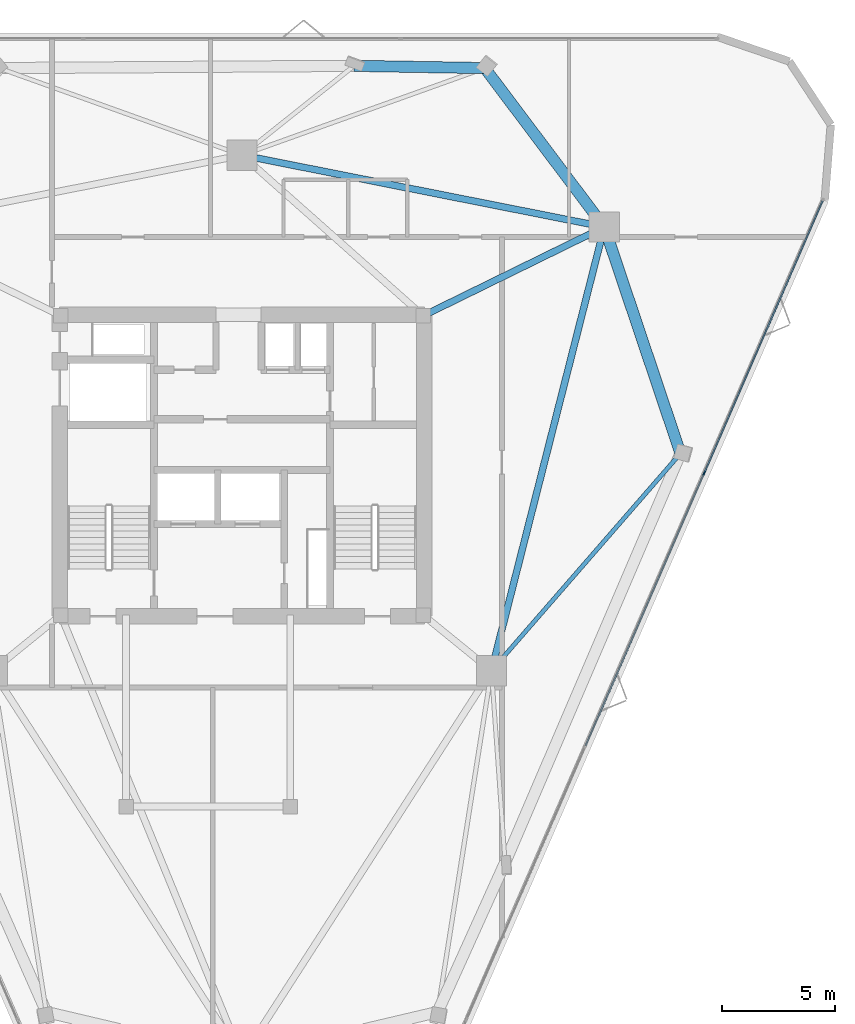
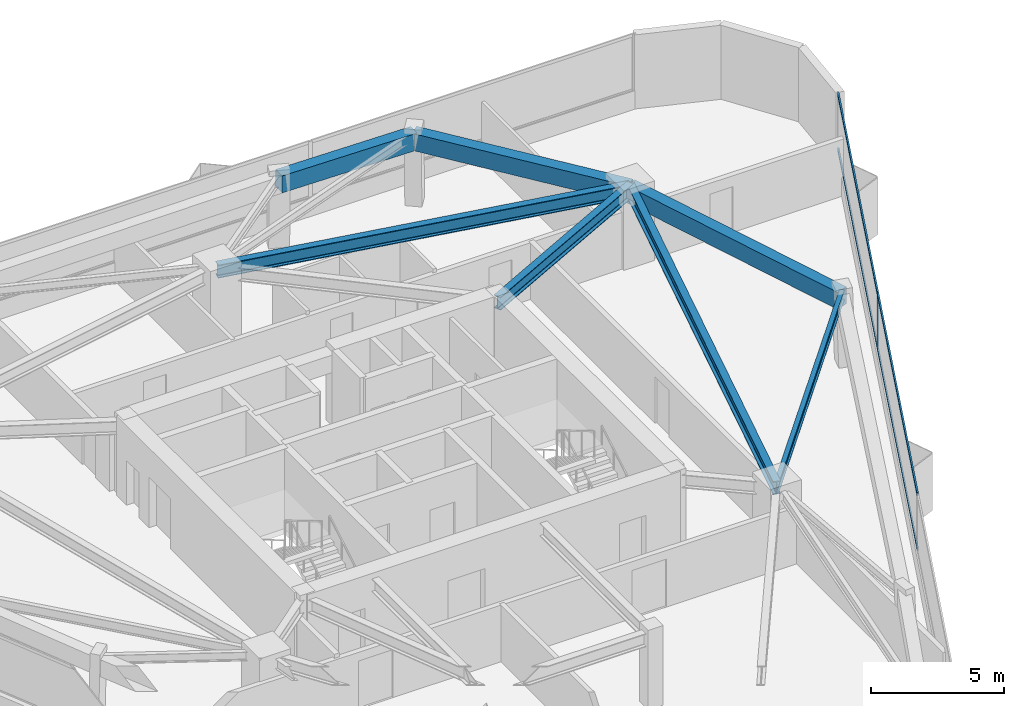
# One storey, part 7 of 12: 7 beams, 5 members, 1 element without a shape of its own.
"""IFC4 building model written with IfcOpenShell, lengths in metres."""

from ifc_helpers import new_model, si_unit, direction, frame, origin, origin_2d, place, context, subcontext, project, spatial, rectangle, i_section, extrude, material, layer, layer_set, material_profile, profile_set, type_object, element, aggregate, save


model = new_model("IFC4")

# Units and contexts
model_context = context("Model", 3, precision=1e-05, world=origin(), true_north=direction((0.0, 1.0)))
body_context = subcontext(model_context, "Body", "Model", "MODEL_VIEW")
ifc_project = project(units=[si_unit("LENGTHUNIT", "METRE"), si_unit("AREAUNIT", "SQUARE_METRE"), si_unit("VOLUMEUNIT", "CUBIC_METRE"), si_unit("PLANEANGLEUNIT", "RADIAN"), si_unit("MASSUNIT", "GRAM", prefix="KILO")], contexts=[model_context])

# Site, building, storey
site_placement = place(None, origin())
site = spatial("IfcSite", under=ifc_project, at=site_placement, CompositionType="ELEMENT")
building_placement = place(site_placement, origin())
building = spatial("IfcBuilding", under=site, at=building_placement, Name="Talyreon Biosciences Tower", CompositionType="ELEMENT")
storey_placement = place(building_placement, frame((0.0, 0.0, 197.64990234375)))
storey = spatial("IfcBuildingStorey", under=building, at=storey_placement, Name="L52", CompositionType="ELEMENT", Elevation=197.64990234375)

# Curtain wall, members
ifc_material_1 = material(Name="Thermally broken aluminium and low-E glazing", Category="aluminium")
ifc_layer = layer(ifc_material_1, 0.179931640625)
ifc_layer_set = layer_set([ifc_layer], Name="Thermally broken aluminium and low-E glazing")
curtain_wall_type = type_object("IfcCurtainWallType", Name="CurtainWall_Zone4Optical", PredefinedType="NOTDEFINED", material=ifc_layer_set)
curtain_wall_placement = place(storey_placement, origin())
curtain_wall = element("IfcCurtainWall", 1, at=curtain_wall_placement, inside=storey, type_object=curtain_wall_type, Name="L52 Unitised Curtain Wall FCW-L52-08", PredefinedType="NOTDEFINED")
ifc_material_2 = material(Name="Anodised thermally broken aluminium", Category="aluminium")
ifc_material_profile_1 = material_profile(ifc_material_2, rectangle(XDim=0.06494140625, YDim=0.179931640625, at=origin_2d()), Name="ALUM MULLION 65x180")
ifc_profile_set_1 = profile_set([ifc_material_profile_1], Name="Anodised thermally broken aluminium")
member_type_1 = type_object("IfcMemberType", Name="CWMullion_65x180", PredefinedType="MULLION", material=ifc_profile_set_1)
member_1_placement = place(storey_placement, frame((86.543212890625, 67.664794921875, 0.81005859375), z_axis=(0.0, 0.0, 1.0), x_axis=(0.917010897502, -0.398862148946, 0.0)))
member_1 = element("IfcMember", 2, at=member_1_placement, type_object=member_type_1, Name="CW5 mullion 2", PredefinedType="MULLION", context=body_context, shape_type="SweptSolid", body=[
    extrude(rectangle(XDim=0.06494140625, YDim=0.179931640625, at=origin_2d()), origin(), (0.0, 0.0, 1.0), 2.590087890625),
])
ifc_material_profile_2 = material_profile(ifc_material_2, rectangle(XDim=0.06494140625, YDim=0.139892578125, at=origin_2d()), Name="ALUM TRANSOM 65x140")
ifc_profile_set_2 = profile_set([ifc_material_profile_2], Name="Anodised thermally broken aluminium")
member_type_2 = type_object("IfcMemberType", Name="CWTransom_65x140", PredefinedType="USERDEFINED", material=ifc_profile_set_2)
member_2_placement = place(storey_placement, frame((91.7998046875, 79.750244140625, 0.842529296875), z_axis=(-0.39885784292, -0.917012770435, 0.0), x_axis=(0.917012770435, -0.39885784292, 0.0)))
member_2 = element("IfcMember", 3, at=member_2_placement, type_object=member_type_2, Name="CW5 transom 1.1", ObjectType="TRANSOM", PredefinedType="USERDEFINED", context=body_context, shape_type="SweptSolid", body=[
    extrude(rectangle(XDim=0.06494140625, YDim=0.139892578125, at=origin_2d()), origin(), (0.0, 0.0, 1.0), 13.146728515625),
])
member_3_placement = place(storey_placement, frame((91.7998046875, 79.750244140625, 3.36767578125), z_axis=(-0.39885784292, -0.917012770435, 0.0), x_axis=(0.917012770435, -0.39885784292, 0.0)))
member_3 = element("IfcMember", 4, at=member_3_placement, type_object=member_type_2, Name="CW5 transom 1.2", ObjectType="TRANSOM", PredefinedType="USERDEFINED", context=body_context, shape_type="SweptSolid", body=[
    extrude(rectangle(XDim=0.06494140625, YDim=0.139892578125, at=origin_2d()), origin(), (0.0, 0.0, 1.0), 13.146728515625),
])
member_4_placement = place(storey_placement, frame((86.5302734375, 67.634765625, 0.842529296875), z_axis=(-0.398872418552, -0.917006430576, 0.0), x_axis=(0.917006430576, -0.398872418552, 0.0)))
member_4 = element("IfcMember", 5, at=member_4_placement, type_object=member_type_2, Name="CW5 transom 2.1", ObjectType="TRANSOM", PredefinedType="USERDEFINED", context=body_context, shape_type="SweptSolid", body=[
    extrude(rectangle(XDim=0.06494140625, YDim=0.139892578125, at=origin_2d()), origin(), (0.0, 0.0, 1.0), 13.17919921875),
])
member_5_placement = place(storey_placement, frame((86.5302734375, 67.634765625, 3.36767578125), z_axis=(-0.398872418552, -0.917006430576, 0.0), x_axis=(0.917006430576, -0.398872418552, 0.0)))
member_5 = element("IfcMember", 6, at=member_5_placement, type_object=member_type_2, Name="CW5 transom 2.2", ObjectType="TRANSOM", PredefinedType="USERDEFINED", context=body_context, shape_type="SweptSolid", body=[
    extrude(rectangle(XDim=0.06494140625, YDim=0.139892578125, at=origin_2d()), origin(), (0.0, 0.0, 1.0), 13.17919921875),
])
aggregate(curtain_wall, [member_1, member_2, member_3, member_4, member_5])

# Beams
ifc_material_3 = material(Name="Precast concrete C45/55", Category="concrete")
ifc_material_profile_3 = material_profile(ifc_material_3, rectangle(XDim=0.5, YDim=0.780029296875, at=origin_2d()), Name="RCB 500x780")
ifc_profile_set_3 = profile_set([ifc_material_profile_3], Name="Precast concrete C45/55")
beam_type_1 = type_object("IfcBeamType", Name="ExpressedSpandrel_500x780", PredefinedType="SPANDREL", material=ifc_profile_set_3)
beam_1_placement = place(storey_placement, frame((85.487060546875, 68.535888671875, 3.010009765625), z_axis=(-0.318813616471, 0.947817428597, 0.0), x_axis=(-0.947817428597, -0.318813616471, 0.0)))
element("IfcBeam", 7, at=beam_1_placement, inside=storey, type_object=beam_type_1, Name="L52 Expressed Horizontal Concrete Spandrel 04", PredefinedType="SPANDREL", context=body_context, shape_type="SweptSolid", body=[
    extrude(rectangle(XDim=0.5, YDim=0.780029296875, at=origin_2d()), origin(), (0.0, 0.0, 1.0), 10.61669921875),
])
beam_2_placement = place(storey_placement, frame((82.102294921875, 78.5986328125, 3.010009765625), z_axis=(-0.601171240798, 0.799120228274, 0.0), x_axis=(-0.799120228274, -0.601171240798, 0.0)))
element("IfcBeam", 8, at=beam_2_placement, inside=storey, type_object=beam_type_1, Name="L52 Expressed Horizontal Concrete Spandrel 05", PredefinedType="SPANDREL", context=body_context, shape_type="SweptSolid", body=[
    extrude(rectangle(XDim=0.5, YDim=0.780029296875, at=origin_2d()), origin(), (0.0, 0.0, 1.0), 8.833251953125),
])
beam_3_placement = place(storey_placement, frame((76.7919921875, 85.657470703125, 3.010009765625), z_axis=(-0.99985167506, 0.017222888277, 0.0), x_axis=(-0.017222888277, -0.99985167506, 0.0)))
element("IfcBeam", 9, at=beam_3_placement, inside=storey, type_object=beam_type_1, Name="L52 Expressed Horizontal Concrete Spandrel 06", PredefinedType="SPANDREL", context=body_context, shape_type="SweptSolid", body=[
    extrude(rectangle(XDim=0.5, YDim=0.780029296875, at=origin_2d()), origin(), (0.0, 0.0, 1.0), 5.81201171875),
])
ifc_material_4 = material(Name="Steel SM355", Category="steel")
ifc_material_profile_4 = material_profile(ifc_material_4, i_section(OverallWidth=0.300048828125, OverallDepth=0.60009765625, WebThickness=0.015380859375, FlangeThickness=0.030029296875, FilletRadius=0.027099609375, at=origin_2d()), Name="HE600B")
ifc_profile_set_4 = profile_set([ifc_material_profile_4], Name="Steel SM355")
beam_type_2 = type_object("IfcBeamType", Name="SteelBeam_HE600B", PredefinedType="BEAM", material=ifc_profile_set_4)
beam_4_placement = place(storey_placement, frame((77.086181640625, 58.88037109375, 3.10009765625), z_axis=(0.246537082299, 0.969133358755, 0.0), x_axis=(-0.969133358755, 0.246537082299, 0.0)))
element("IfcBeam", 10, at=beam_4_placement, inside=storey, type_object=beam_type_2, Name="L52 Mega-Ring Girder 2", PredefinedType="BEAM", context=body_context, shape_type="SweptSolid", body=[
    extrude(i_section(OverallWidth=0.300048828125, OverallDepth=0.60009765625, WebThickness=0.015380859375, FlangeThickness=0.030029296875, FilletRadius=0.027099609375, at=origin_2d()), origin(), (0.0, 0.0, 1.0), 20.34619140625),
])
beam_5_placement = place(storey_placement, frame((82.102294921875, 78.5986328125, 3.10009765625), z_axis=(-0.980933730698, 0.194342522311, 0.0), x_axis=(-0.194342522311, -0.980933730698, 0.0)))
element("IfcBeam", 11, at=beam_5_placement, inside=storey, type_object=beam_type_2, Name="L52 Mega-Ring Girder 3", PredefinedType="BEAM", context=body_context, shape_type="SweptSolid", body=[
    extrude(i_section(OverallWidth=0.300048828125, OverallDepth=0.60009765625, WebThickness=0.015380859375, FlangeThickness=0.030029296875, FilletRadius=0.027099609375, at=origin_2d()), origin(), (0.0, 0.0, 1.0), 16.415283203125),
])
beam_6_placement = place(storey_placement, frame((74.050048828125, 74.64990234375, 3.10009765625), z_axis=(0.897852360314, 0.440296648952, 0.0), x_axis=(-0.440296648952, 0.897852360314, 0.0)))
element("IfcBeam", 12, at=beam_6_placement, inside=storey, type_object=beam_type_2, Name="L52 Radial Primary Girder 3", PredefinedType="BEAM", context=body_context, shape_type="SweptSolid", body=[
    extrude(i_section(OverallWidth=0.300048828125, OverallDepth=0.60009765625, WebThickness=0.015380859375, FlangeThickness=0.030029296875, FilletRadius=0.027099609375, at=origin_2d()), origin(), (0.0, 0.0, 1.0), 8.96826171875),
])
ifc_material_profile_5 = material_profile(ifc_material_4, i_section(OverallWidth=0.18994140625, OverallDepth=0.449951171875, WebThickness=0.009521484375, FlangeThickness=0.0146484375, FilletRadius=0.02099609375, at=origin_2d()), Name="IPE450")
ifc_profile_set_5 = profile_set([ifc_material_profile_5], Name="Steel SM355")
beam_type_3 = type_object("IfcBeamType", Name="SteelJoist_IPE450", PredefinedType="JOIST", material=ifc_profile_set_5)
beam_7_placement = place(storey_placement, frame((77.086181640625, 58.88037109375, 3.175048828125), z_axis=(0.656391210327, 0.754420690998, 0.0), x_axis=(-0.754420690998, 0.656391210327, 0.0)))
element("IfcBeam", 13, at=beam_7_placement, inside=storey, type_object=beam_type_3, Name="L52 Radial Composite Floor Joist PC-SE2", PredefinedType="JOIST", context=body_context, shape_type="SweptSolid", body=[
    extrude(i_section(OverallWidth=0.18994140625, OverallDepth=0.449951171875, WebThickness=0.009521484375, FlangeThickness=0.0146484375, FilletRadius=0.02099609375, at=origin_2d()), origin(), (0.0, 0.0, 1.0), 12.798583984375),
])

save(model, "model.ifc")
